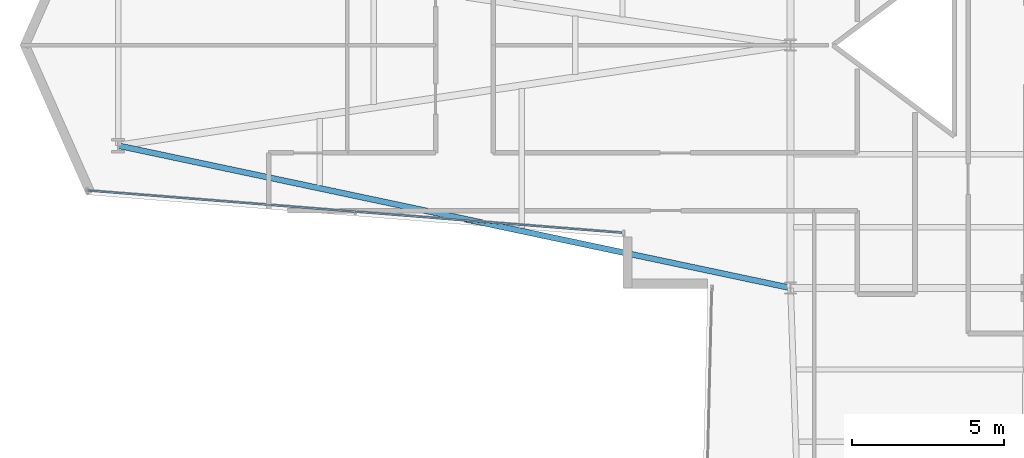
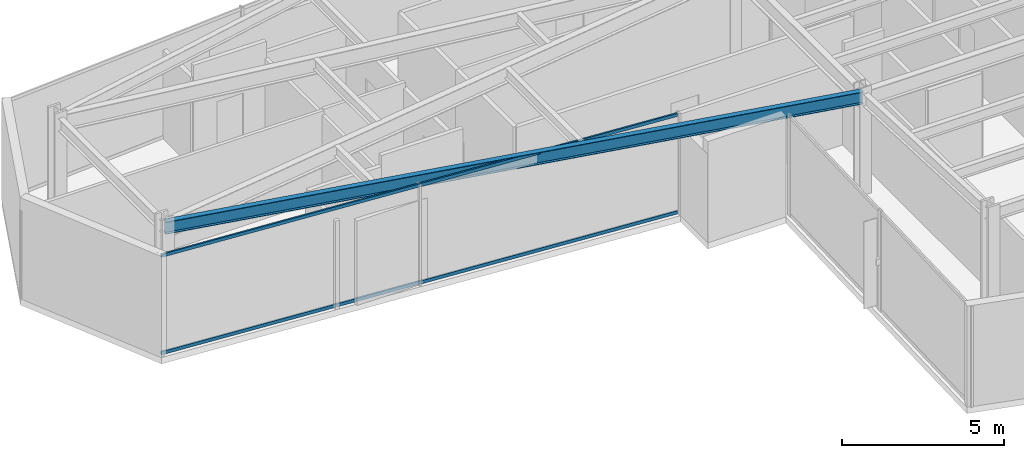
# One storey, part 3 of 25: 2 members, 1 beam, 1 element without a shape of its own.
"""IFC4 building model written with IfcOpenShell, lengths in metres."""

from ifc_helpers import new_model, si_unit, direction, frame, origin, origin_2d, place, context, subcontext, project, spatial, hollow_rectangle, i_section, extrude, material, layer, layer_set, material_profile, profile_set, type_object, element, aggregate, save


model = new_model("IFC4")

# Units and contexts
model_context = context("Model", 3, precision=1e-05, world=origin(), true_north=direction((0.0, 1.0)))
body_context = subcontext(model_context, "Body", "Model", "MODEL_VIEW")
ifc_project = project(units=[si_unit("LENGTHUNIT", "METRE"), si_unit("AREAUNIT", "SQUARE_METRE"), si_unit("VOLUMEUNIT", "CUBIC_METRE"), si_unit("PLANEANGLEUNIT", "RADIAN"), si_unit("MASSUNIT", "GRAM", prefix="KILO")], contexts=[model_context])

# Site, building, storey
site_placement = place(None, origin())
site = spatial("IfcSite", under=ifc_project, at=site_placement, CompositionType="ELEMENT")
building_placement = place(site_placement, origin())
building = spatial("IfcBuilding", under=site, at=building_placement, Name="Veymaron Broadcast Tower", CompositionType="ELEMENT")
storey_placement = place(building_placement, frame((0.0, 0.0, 74.25)))
storey = spatial("IfcBuildingStorey", under=building, at=storey_placement, Name="L16", CompositionType="ELEMENT", Elevation=74.25)

# Beam
ifc_material_1 = material(Name="Structural steel ASTM A992 Gr 50", Category="steel")
ifc_material_profile_1 = material_profile(ifc_material_1, i_section(OverallWidth=0.19091796875, OverallDepth=0.4599609375, WebThickness=0.010009765625, FlangeThickness=0.01611328125, at=origin_2d()), Name="W460X82")
ifc_profile_set_1 = profile_set([ifc_material_profile_1], Name="Structural steel ASTM A992 Gr 50")
beam_type = type_object("IfcBeamType", Name="BM-SP1", PredefinedType="SPANDREL", material=ifc_profile_set_1)
beam_placement = place(storey_placement, frame((9.0419921875, 20.68994140625, 3.580078125), z_axis=(0.978325730087, -0.207071885708, 0.0), x_axis=(0.207071885708, 0.978325730087, 0.0)))
element("IfcBeam", 1, at=beam_placement, inside=storey, type_object=beam_type, Name="L16 primary structural floor girder", PredefinedType="SPANDREL", context=body_context, shape_type="SweptSolid", body=[
    extrude(i_section(OverallWidth=0.19091796875, OverallDepth=0.4599609375, WebThickness=0.010009765625, FlangeThickness=0.01611328125, at=origin_2d()), origin(), (0.0, 0.0, 1.0), 22.64892578125),
])

# Curtain wall, members
ifc_material_2 = material(Name="Anodised aluminium AA 6063-T6 and laminated low-E dark glass", Category="aluminium")
ifc_layer = layer(ifc_material_2, 0.179931640625)
ifc_layer_set = layer_set([ifc_layer], Name="Anodised aluminium AA 6063-T6 and laminated low-E dark glass")
curtain_wall_type = type_object("IfcCurtainWallType", Name="CW-SYS-02", PredefinedType="NOTDEFINED", material=ifc_layer_set)
curtain_wall_placement = place(storey_placement, origin())
curtain_wall = element("IfcCurtainWall", 2, at=curtain_wall_placement, inside=storey, type_object=curtain_wall_type, Name="L16 dark-glass curtain wall CW-L16-E14-1", PredefinedType="NOTDEFINED")
ifc_material_3 = material(Name="Anodised aluminium AA 6063-T6", Category="aluminium")
ifc_material_profile_2 = material_profile(ifc_material_3, hollow_rectangle(XDim=0.06005859375, YDim=0.1201171875, WallThickness=0.00390625, at=origin_2d()), Name="AL120X60X4")
ifc_profile_set_2 = profile_set([ifc_material_profile_2], Name="Anodised aluminium AA 6063-T6")
member_type = type_object("IfcMemberType", Name="CW-TRN-02", PredefinedType="USERDEFINED", material=ifc_profile_set_2)
member_1_placement = place(storey_placement, frame((8.060791015625, 19.208740234375, 0.070068359375), z_axis=(0.996892203144, -0.078777758981, 0.0), x_axis=(0.078777758981, 0.996892203144, 0.0)))
member_1 = element("IfcMember", 3, at=member_1_placement, type_object=member_type, Name="CW-L16-E14-1 transom B", ObjectType="TRANSOM", PredefinedType="USERDEFINED", context=body_context, shape_type="SweptSolid", body=[
    extrude(hollow_rectangle(XDim=0.06005859375, YDim=0.1201171875, WallThickness=0.00390625, at=origin_2d()), origin(), (0.0, 0.0, 1.0), 17.643310546875),
])
member_2_placement = place(storey_placement, frame((8.060791015625, 19.208740234375, 3.739990234375), z_axis=(0.996892203144, -0.078777758981, 0.0), x_axis=(0.078777758981, 0.996892203144, 0.0)))
member_2 = element("IfcMember", 4, at=member_2_placement, type_object=member_type, Name="CW-L16-E14-1 transom T", ObjectType="TRANSOM", PredefinedType="USERDEFINED", context=body_context, shape_type="SweptSolid", body=[
    extrude(hollow_rectangle(XDim=0.06005859375, YDim=0.1201171875, WallThickness=0.00390625, at=origin_2d()), origin(), (0.0, 0.0, 1.0), 17.643310546875),
])
aggregate(curtain_wall, [member_1, member_2])

save(model, "model.ifc")
